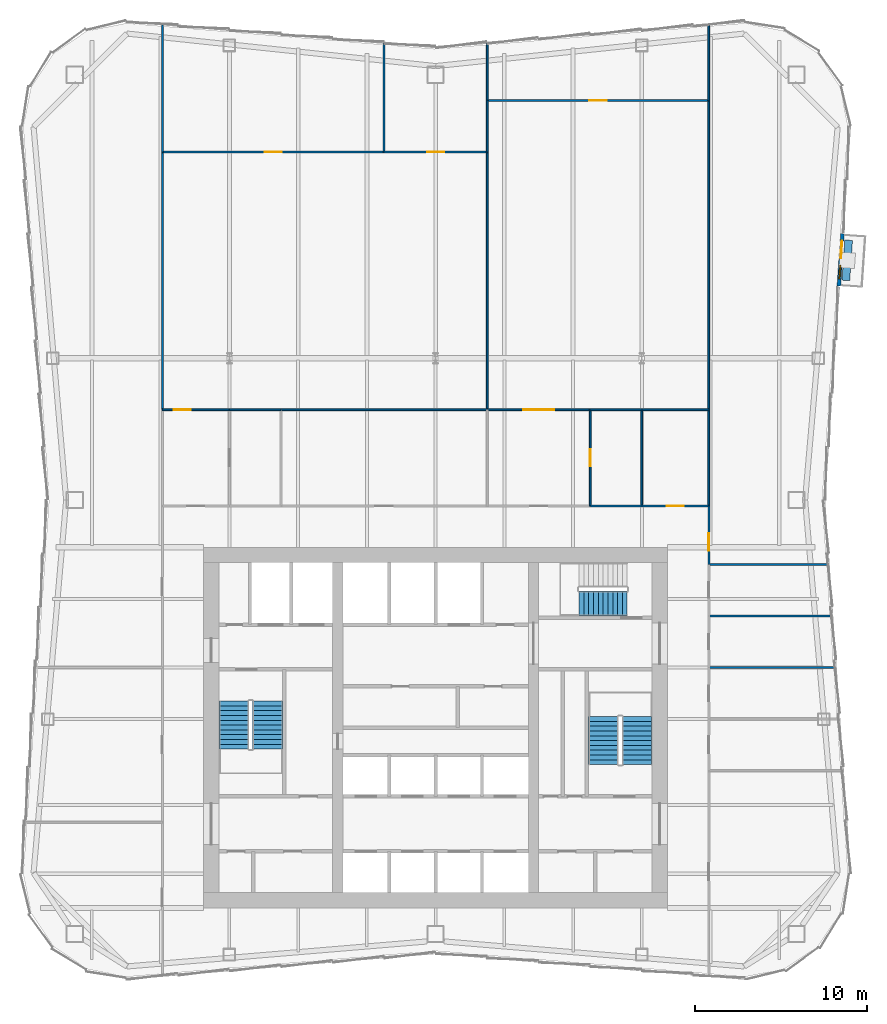
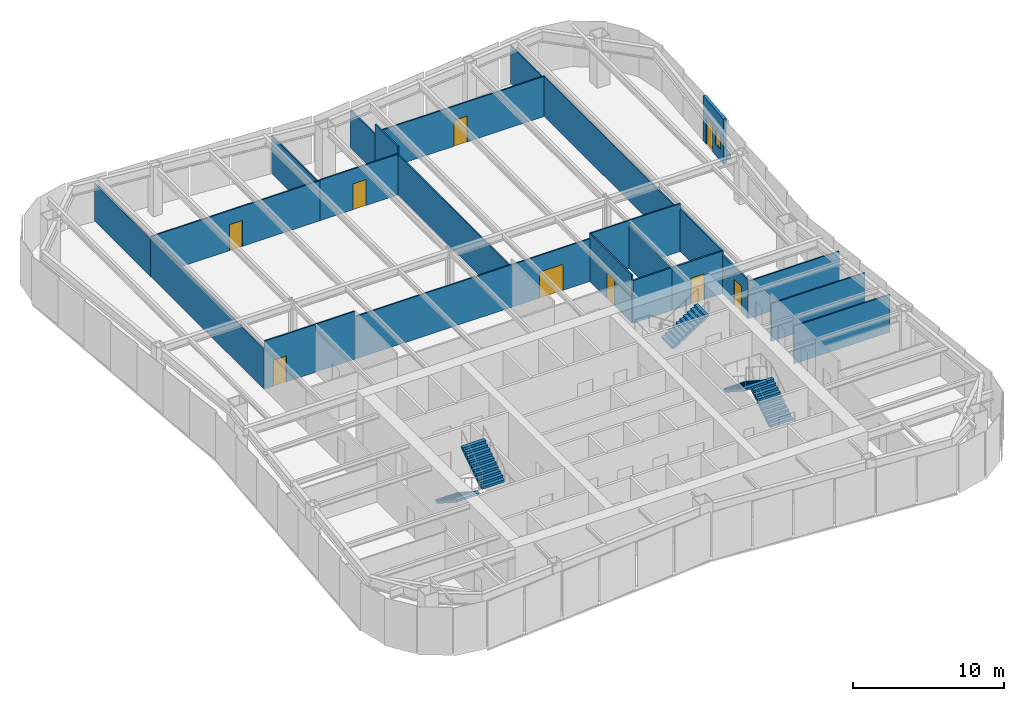
# One storey, part 7 of 10: 28 walls, 9 doors, 5 stair flights, 1 window, 10 openings, 3 elements without a shape of their own.
"""IFC4 building model written with IfcOpenShell, lengths in metres."""

import ifcopenshell
import ifcopenshell.guid

model = None  # the IFC model being written
_history = None  # IfcOwnerHistory: only IFC2X3 demands one
_inside = {}  # id of a spatial element -> (the spatial element, [elements in it])
_under = {}  # id of a project, library or spatial element -> (it, [spatial elements below it])
_declared = {}  # id of a project -> (the project, [libraries it declares])
_typed = {}  # id of a type object -> (the type object, [elements of that type])
_made_of = {}  # id of a material, layer set ... -> (it, [elements and type objects made of it])


def new_model(schema):
    """Start an empty IFC model of exactly this schema.

    Asked for "IFC4X3", IfcOpenShell would pick the latest addendum, in which some entities
    have other attributes; the version numbers below select the first issue.
    IFC2X3 requires an IfcOwnerHistory on every rooted entity: one is made here for all.
    """
    global model, _history
    if schema == "IFC4X3":
        model = ifcopenshell.file(schema_version=(4, 3, 0, 0))
    else:
        model = ifcopenshell.file(schema=schema)
    _inside.clear()
    _under.clear()
    _declared.clear()
    _typed.clear()
    _made_of.clear()
    _history = None
    if model.schema == "IFC2X3":
        org = make("IfcOrganization", Name="unknown")
        user = make(
            "IfcPersonAndOrganization",
            ThePerson=make("IfcPerson", FamilyName="unknown"),
            TheOrganization=org,
        )
        app = make(
            "IfcApplication",
            ApplicationDeveloper=org,
            Version="unknown",
            ApplicationFullName="unknown",
            ApplicationIdentifier="unknown",
        )
        _history = make(
            "IfcOwnerHistory",
            OwningUser=user,
            OwningApplication=app,
            ChangeAction="ADDED",
            CreationDate=0,
        )
    return model


def make(cls, **values):
    """One entity of the class cls with the attributes given. An attribute that is None is left unset."""
    return model.create_entity(
        cls, **{name: value for name, value in values.items() if value is not None}
    )


def rooted(cls, **values):
    """An entity with a GlobalId (a new one), such as an element, a storey or a relation."""
    return make(cls, GlobalId=ifcopenshell.guid.new(), OwnerHistory=_history, **values)


def si_unit(unit_type, name, prefix=None):
    """IfcSIUnit, for example si_unit("LENGTHUNIT", "METRE", prefix="MILLI")."""
    return make("IfcSIUnit", UnitType=unit_type, Prefix=prefix, Name=name)


def assignment(units):
    """IfcUnitAssignment: the units of a project."""
    return None if units is None else make("IfcUnitAssignment", Units=units)


def point(xyz):
    """IfcCartesianPoint."""
    return None if xyz is None else make("IfcCartesianPoint", Coordinates=xyz)


def direction(xyz):
    """IfcDirection."""
    return None if xyz is None else make("IfcDirection", DirectionRatios=xyz)


def frame(location, z_axis=None, x_axis=None):
    """IfcAxis2Placement3D, a coordinate frame: its origin and axes. An axis left out is left unset."""
    return make(
        "IfcAxis2Placement3D",
        Location=point(location),
        Axis=direction(z_axis),
        RefDirection=direction(x_axis),
    )


def frame_2d(location, x_axis=None):
    """IfcAxis2Placement2D, a coordinate frame in the plane: its origin and x axis."""
    return make(
        "IfcAxis2Placement2D", Location=point(location), RefDirection=direction(x_axis)
    )


def origin():
    """The frame at (0, 0, 0) with its axes left unset."""
    return frame((0.0, 0.0, 0.0))


def place(relative_to, where):
    """IfcLocalPlacement: puts the frame where relative to a parent placement (None: the world)."""
    return make(
        "IfcLocalPlacement", PlacementRelTo=relative_to, RelativePlacement=where
    )


def context(
    kind, dimensions, precision=None, world=None, true_north=None, identifier=None
):
    """IfcGeometricRepresentationContext, for example the 3D "Model" context."""
    return make(
        "IfcGeometricRepresentationContext",
        ContextIdentifier=identifier,
        ContextType=kind,
        CoordinateSpaceDimension=dimensions,
        Precision=precision,
        WorldCoordinateSystem=world,
        TrueNorth=true_north,
    )


def subcontext(parent, identifier, kind, view, scale=None):
    """IfcGeometricRepresentationSubContext, for example "Body" below "Model"."""
    return make(
        "IfcGeometricRepresentationSubContext",
        ContextIdentifier=identifier,
        ContextType=kind,
        ParentContext=parent,
        TargetScale=scale,
        TargetView=view,
    )


def project(units=None, contexts=None):
    """IfcProject with its units and contexts."""
    return rooted(
        "IfcProject",
        Name="project",
        RepresentationContexts=contexts,
        UnitsInContext=assignment(units),
    )


def spatial(cls, under=None, at=None, **own):
    """A site, building, storey or space (cls), placed at a placement, below another one or the project."""
    s = rooted(cls, ObjectPlacement=at, **own)
    if under is not None:
        _under.setdefault(under.id(), (under, []))[1].append(s)
    return s


def polyline(points):
    """IfcPolyline through the points."""
    return make("IfcPolyline", Points=[point(p) for p in points])


def profile(cls, at=None, kind="AREA", **sizes):
    """A parametric profile (cls). Its sizes go by their IFC names, for example OverallWidth=200.0."""
    return make(cls, ProfileType=kind, Position=at, **sizes)


def rectangle(**sizes):
    """IfcRectangleProfileDef."""
    return profile("IfcRectangleProfileDef", **sizes)


def outline(outer, holes=None, kind="AREA"):
    """IfcArbitraryClosedProfileDef: a profile drawn as a closed curve; with holes, ...WithVoids."""
    if holes is None:
        return make("IfcArbitraryClosedProfileDef", ProfileType=kind, OuterCurve=outer)
    return make(
        "IfcArbitraryProfileDefWithVoids",
        ProfileType=kind,
        OuterCurve=outer,
        InnerCurves=holes,
    )


def extrude(swept, where, along, depth):
    """IfcExtrudedAreaSolid: the profile swept, set in the frame where, extruded along a direction by depth."""
    return make(
        "IfcExtrudedAreaSolid",
        SweptArea=swept,
        Position=where,
        ExtrudedDirection=direction(along),
        Depth=depth,
    )


def shape(context_of_items, identifier, shape_type, items):
    """IfcShapeRepresentation: the items that make up one representation, for example the "Body"."""
    return make(
        "IfcShapeRepresentation",
        ContextOfItems=context_of_items,
        RepresentationIdentifier=identifier,
        RepresentationType=shape_type,
        Items=items,
    )


def material(Name=None, Category=None):
    """IfcMaterial."""
    return make("IfcMaterial", Name=Name, Category=Category)


def layer(
    of_material, thickness, ventilated=None, Name=None, Category=None, Priority=None
):
    """IfcMaterialLayer: one layer of a wall or slab, of a material (None: an air gap)."""
    return make(
        "IfcMaterialLayer",
        Material=of_material,
        LayerThickness=thickness,
        IsVentilated=ventilated,
        Name=Name,
        Category=Category,
        Priority=Priority,
    )


def layer_set(layers, Name=None):
    """IfcMaterialLayerSet."""
    return make("IfcMaterialLayerSet", MaterialLayers=layers, LayerSetName=Name)


def made_of(thing, what):
    """Note that an element or type object is made of a material, layer set ...; save() writes the relation."""
    if what is not None:
        _made_of.setdefault(what.id(), (what, []))[1].append(thing)
    return thing


def type_object(cls, material=None, **own):
    """A type object (cls), such as IfcWallType, which elements share."""
    return made_of(rooted(cls, **own), material)


def element(
    cls,
    number,
    at=None,
    inside=None,
    cuts=None,
    type_object=None,
    material=None,
    context=None,
    identifier="Body",
    shape_type=None,
    held_by="IfcProductDefinitionShape",
    body=None,
    shapes=None,
    **own,
):
    """One element of the class cls, such as IfcWall. Its Tag is "e" and its number.

    at: its placement. inside: the storey or other place that contains it. cuts: it is an
    opening in that element (IfcRelVoidsElement). A single representation is given by context,
    identifier, shape_type and body (its items); several are given by shapes. held_by: the class
    of the entity that holds the representations. save() writes the other relations.
    """
    e = rooted(cls, Tag="e%d" % number, ObjectPlacement=at, **own)
    if body is not None:
        shapes = [shape(context, identifier, shape_type, body)]
    if shapes is not None:
        e.Representation = make(held_by, Representations=shapes)
    if inside is not None:
        _inside.setdefault(inside.id(), (inside, []))[1].append(e)
    if cuts is not None:
        rooted(
            "IfcRelVoidsElement", RelatingBuildingElement=cuts, RelatedOpeningElement=e
        )
    if type_object is not None:
        _typed.setdefault(type_object.id(), (type_object, []))[1].append(e)
    return made_of(e, material)


def fill(opening, filler):
    """IfcRelFillsElement: the door or window that sits in an opening."""
    return rooted(
        "IfcRelFillsElement",
        RelatingOpeningElement=opening,
        RelatedBuildingElement=filler,
    )


def aggregate(whole, parts):
    """IfcRelAggregates: a whole, such as a stair, and the parts it consists of."""
    return rooted("IfcRelAggregates", RelatingObject=whole, RelatedObjects=parts)


def save(model, path):
    """Write the relations noted so far, then the file.

    IfcRelAggregates (storeys below a building ...), IfcRelContainedInSpatialStructure (elements
    in a storey), IfcRelDefinesByType, IfcRelAssociatesMaterial and IfcRelDeclares: one each for
    every whole, place, type object, material and project.
    """
    for whole, parts in _under.values():
        aggregate(whole, parts)
    for where, things in _inside.values():
        rooted(
            "IfcRelContainedInSpatialStructure",
            RelatedElements=things,
            RelatingStructure=where,
        )
    for kind, things in _typed.values():
        rooted("IfcRelDefinesByType", RelatedObjects=things, RelatingType=kind)
    for what, things in _made_of.values():
        rooted("IfcRelAssociatesMaterial", RelatedObjects=things, RelatingMaterial=what)
    for by, libraries in _declared.values():
        rooted("IfcRelDeclares", RelatingContext=by, RelatedDefinitions=libraries)
    model.write(path)


model = new_model("IFC4")

# Units and contexts
model_context = context("Model", 3, precision=1e-05, world=origin(), true_north=direction((0.0, 1.0)))
body_context = subcontext(model_context, "Body", "Model", "MODEL_VIEW")
ifc_project = project(units=[si_unit("LENGTHUNIT", "METRE"), si_unit("AREAUNIT", "SQUARE_METRE"), si_unit("VOLUMEUNIT", "CUBIC_METRE"), si_unit("PLANEANGLEUNIT", "RADIAN"), si_unit("MASSUNIT", "GRAM", prefix="KILO")], contexts=[model_context])

# Site, building, storey
site_placement = place(None, origin())
site = spatial("IfcSite", under=ifc_project, at=site_placement, CompositionType="ELEMENT")
building_placement = place(site_placement, origin())
building = spatial("IfcBuilding", under=site, at=building_placement, Name="Verdant Reach Tower", CompositionType="ELEMENT")
storey_placement = place(building_placement, frame((0.0, 0.0, 210.0)))
storey = spatial("IfcBuildingStorey", under=building, at=storey_placement, Name="L48", CompositionType="ELEMENT", Elevation=210.0)

# Wall, openings, door, window
ifc_material_1 = material(Name="Insulated bronze aluminium panel wall", Category="aluminium")
ifc_layer_1 = layer(ifc_material_1, 0.219970703125)
ifc_layer_set_1 = layer_set([ifc_layer_1], Name="EN-INFILL WALL")
wall_type_1 = type_object("IfcWallType", Name="EN-INFILL WALL", PredefinedType="SOLIDWALL", material=ifc_layer_set_1)
wall_1_placement = place(storey_placement, frame((23.46826171875, 53.7041015625, 0.0), z_axis=(0.0, 0.0, 1.0), x_axis=(0.068793846076, 0.997630897047, 0.0)))
wall_1 = element("IfcWall", 1, at=wall_1_placement, inside=storey, type_object=wall_type_1, Name="External infill wall, balcony bay 1, L48", PredefinedType="SOLIDWALL", context=body_context, shape_type="SweptSolid", body=[
    extrude(rectangle(XDim=3.048583984375, YDim=0.218017578125, at=frame_2d((1.5244140625, 0.0))), origin(), (0.0, 0.0, 1.0), 3.64990234375),
])
opening_1_placement = place(wall_1_placement, frame((1.63232421875, 0.0, 0.0)))
opening_1 = element("IfcOpeningElement", 2, at=opening_1_placement, cuts=wall_1, Name="Opening BD1", PredefinedType="OPENING", context=body_context, shape_type="SweptSolid", body=[
    extrude(rectangle(XDim=1.0, YDim=2.10009765625, at=frame_2d((0.5, 1.050048828125))), frame((0.0, 0.118896484375, 0.0), z_axis=(0.0, -1.0, 0.0), x_axis=(1.0, 0.0, 0.0)), (0.0, 0.0, 1.0), 0.238037109375),
])
opening_2_placement = place(wall_1_placement, frame((0.416259765625, 0.0, 0.89990234375)))
opening_2 = element("IfcOpeningElement", 3, at=opening_2_placement, cuts=wall_1, Name="Opening BW1", PredefinedType="OPENING", context=body_context, shape_type="SweptSolid", body=[
    extrude(rectangle(XDim=0.800048828125, YDim=1.199951171875, at=frame_2d((0.39990234375, 0.60009765625))), frame((0.0, 0.118896484375, 0.0), z_axis=(0.0, -1.0, 0.0), x_axis=(1.0, 0.0, 0.0)), (0.0, 0.0, 1.0), 0.238037109375),
])
ifc_material_2 = material(Name="Aluminium framed glazed door", Category="aluminium")
door_type_1 = type_object("IfcDoorType", Name="EN-DOOR BALCONY", OperationType="NOTDEFINED", PredefinedType="DOOR", material=ifc_material_2)
door_1_placement = place(opening_1_placement, origin())
door_1 = element("IfcDoor", 4, at=door_1_placement, inside=storey, type_object=door_type_1, Name="Balcony door 1, L48", OperationType="SINGLE_SWING_RIGHT", OverallHeight=2.10009765625, OverallWidth=1.0, PredefinedType="DOOR", context=body_context, shape_type="SweptSolid", body=[
    extrude(rectangle(XDim=1.0, YDim=2.10009765625, at=frame_2d((0.5, 1.050048828125))), frame((0.0, 0.02490234375, 0.0), z_axis=(0.0, -1.0, 0.0), x_axis=(1.0, 0.0, 0.0)), (0.0, 0.0, 1.0), 0.050048828125),
])
fill(opening_1, door_1)
ifc_material_3 = material(Name="Aluminium framed glazing", Category="aluminium")
window_type = type_object("IfcWindowType", Name="EN-WINDOW BALCONY", PartitioningType="SINGLE_PANEL", PredefinedType="WINDOW", material=ifc_material_3)
window_placement = place(opening_2_placement, origin())
window = element("IfcWindow", 5, at=window_placement, inside=storey, type_object=window_type, Name="Balcony window 1, L48", OverallHeight=1.199951171875, OverallWidth=0.800048828125, PartitioningType="SINGLE_PANEL", PredefinedType="WINDOW", context=body_context, shape_type="SweptSolid", body=[
    extrude(rectangle(XDim=0.800048828125, YDim=1.199951171875, at=frame_2d((0.39990234375, 0.60009765625))), frame((0.0, 0.030029296875, 0.0), z_axis=(0.0, -1.0, 0.0), x_axis=(1.0, 0.0, 0.0)), (0.0, 0.0, 1.0), 0.06005859375),
])
fill(opening_2, window)

# Wall
ifc_material_4 = material(Name="Precast concrete C30/37", Category="concrete")
ifc_layer_2 = layer(ifc_material_4, 0.449951171875)
ifc_layer_set_2 = layer_set([ifc_layer_2], Name="EN-PLANTER")
wall_type_2 = type_object("IfcWallType", Name="EN-PLANTER", PredefinedType="USERDEFINED", material=ifc_layer_set_2)
wall_2_placement = place(storey_placement, frame((23.875244140625, 54.02685546875, 0.0), z_axis=(0.0, 0.0, 1.0), x_axis=(0.068823499363, 0.997628851796, 0.0)))
element("IfcWall", 6, at=wall_2_placement, inside=storey, type_object=wall_type_2, Name="Balcony planter 1, L48", ObjectType="PLANTER", PredefinedType="USERDEFINED", context=body_context, shape_type="SweptSolid", body=[
    extrude(rectangle(XDim=2.348388671875, YDim=0.449951171875, at=frame_2d((1.17431640625, 0.0))), origin(), (0.0, 0.0, 1.0), 0.39990234375),
])

# Wall, opening, door
ifc_material_5 = material(Name="Gypsum board on steel studs", Category="steel")
ifc_layer_3 = layer(ifc_material_5, 0.10009765625)
ifc_layer_set_3 = layer_set([ifc_layer_3], Name="FL-W1 Partition 100")
wall_type_3 = type_object("IfcWallType", Name="FL-W1 Partition 100", PredefinedType="PARTITIONING", material=ifc_layer_set_3)
wall_3_placement = place(storey_placement, frame((-15.89990234375, 46.5, 0.0), z_axis=(0.0, 0.0, 1.0), x_axis=(1.0, 0.0, 0.0)))
wall_3 = element("IfcWall", 7, at=wall_3_placement, inside=storey, type_object=wall_type_3, Name="Partition 48.17", PredefinedType="PARTITIONING", context=body_context, shape_type="SweptSolid", body=[
    extrude(rectangle(XDim=3.90380859375, YDim=0.10009765625, at=frame_2d((1.951904296875, 0.0))), origin(), (0.0, 0.0, 1.0), 3.8701171875),
])
opening_3_placement = place(wall_3_placement, frame((0.652099609375, 0.0, 0.0)))
opening_3 = element("IfcOpeningElement", 8, at=opening_3_placement, cuts=wall_3, Name="Opening D3", PredefinedType="OPENING", context=body_context, shape_type="SweptSolid", body=[
    extrude(rectangle(XDim=1.0, YDim=2.10009765625, at=frame_2d((0.5, 1.050048828125))), frame((0.0, 0.06005859375, 0.0), z_axis=(0.0, -1.0, 0.0), x_axis=(1.0, 0.0, 0.0)), (0.0, 0.0, 1.0), 0.1201171875),
])
ifc_material_6 = material(Name="Painted timber door leaf", Category="wood")
door_type_2 = type_object("IfcDoorType", Name="FL-D3 Door 1000x2100", OperationType="NOTDEFINED", PredefinedType="DOOR", material=ifc_material_6)
door_2_placement = place(opening_3_placement, origin())
door_2 = element("IfcDoor", 9, at=door_2_placement, inside=storey, type_object=door_type_2, Name="Door 48-015", OperationType="SINGLE_SWING_LEFT", OverallHeight=2.10009765625, OverallWidth=1.0, PredefinedType="DOOR", context=body_context, shape_type="SweptSolid", body=[
    extrude(rectangle(XDim=1.0, YDim=2.10009765625, at=frame_2d((0.5, 1.050048828125))), frame((0.0, 0.02490234375, 0.0), z_axis=(0.0, -1.0, 0.0), x_axis=(1.0, 0.0, 0.0)), (0.0, 0.0, 1.0), 0.050048828125),
])
fill(opening_3, door_2)

# Walls
wall_4_placement = place(storey_placement, frame((-8.99609375, 46.5, 0.0), z_axis=(0.0, 0.0, 1.0), x_axis=(-1.0, 0.0, 0.0)))
element("IfcWall", 10, at=wall_4_placement, inside=storey, type_object=wall_type_3, Name="Partition 48.20", PredefinedType="PARTITIONING", context=body_context, shape_type="SweptSolid", body=[
    extrude(rectangle(XDim=3.0078125, YDim=0.10009765625, at=frame_2d((1.50390625, 0.0))), origin(), (0.0, 0.0, 1.0), 3.8701171875),
])
wall_5_placement = place(storey_placement, frame((3.0, 46.5, 0.0), z_axis=(0.0, 0.0, 1.0), x_axis=(-1.0, 0.0, 0.0)))
element("IfcWall", 11, at=wall_5_placement, inside=storey, type_object=wall_type_3, Name="Partition 48.21", PredefinedType="PARTITIONING", context=body_context, shape_type="SweptSolid", body=[
    extrude(rectangle(XDim=12.00390625, YDim=0.10009765625, at=frame_2d((6.001953125, 0.0))), origin(), (0.0, 0.0, 1.0), 3.43994140625),
])

# Wall, opening, door
wall_6_placement = place(storey_placement, frame((-15.89990234375, 61.5, 0.0), z_axis=(0.0, 0.0, 1.0), x_axis=(1.0, 0.0, 0.0)))
wall_6 = element("IfcWall", 12, at=wall_6_placement, inside=storey, type_object=wall_type_3, Name="Partition 48.23", PredefinedType="PARTITIONING", context=body_context, shape_type="SweptSolid", body=[
    extrude(rectangle(XDim=12.89990234375, YDim=0.10009765625, at=frame_2d((6.449951171875, 0.0))), origin(), (0.0, 0.0, 1.0), 3.239990234375),
])
opening_4_placement = place(wall_6_placement, frame((5.949951171875, 0.0, 0.0)))
opening_4 = element("IfcOpeningElement", 13, at=opening_4_placement, cuts=wall_6, Name="Opening D3", PredefinedType="OPENING", context=body_context, shape_type="SweptSolid", body=[
    extrude(rectangle(XDim=1.0, YDim=2.10009765625, at=frame_2d((0.5, 1.050048828125))), frame((0.0, 0.06005859375, 0.0), z_axis=(0.0, -1.0, 0.0), x_axis=(1.0, 0.0, 0.0)), (0.0, 0.0, 1.0), 0.1201171875),
])
door_3_placement = place(opening_4_placement, origin())
door_3 = element("IfcDoor", 14, at=door_3_placement, inside=storey, type_object=door_type_2, Name="Door 48-016", OperationType="SINGLE_SWING_RIGHT", OverallHeight=2.10009765625, OverallWidth=1.0, PredefinedType="DOOR", context=body_context, shape_type="SweptSolid", body=[
    extrude(rectangle(XDim=1.0, YDim=2.10009765625, at=frame_2d((0.5, 1.050048828125))), frame((0.0, 0.02490234375, 0.0), z_axis=(0.0, -1.0, 0.0), x_axis=(1.0, 0.0, 0.0)), (0.0, 0.0, 1.0), 0.050048828125),
])
fill(opening_4, door_3)

wall_7_placement = place(storey_placement, frame((-3.0, 61.5, 0.0), z_axis=(0.0, 0.0, 1.0), x_axis=(1.0, 0.0, 0.0)))
wall_7 = element("IfcWall", 15, at=wall_7_placement, inside=storey, type_object=wall_type_3, Name="Partition 48.24", PredefinedType="PARTITIONING", context=body_context, shape_type="SweptSolid", body=[
    extrude(rectangle(XDim=6.0, YDim=0.10009765625, at=frame_2d((3.0, 0.0))), origin(), (0.0, 0.0, 1.0), 3.2900390625),
])
opening_5_placement = place(wall_7_placement, frame((2.5, 0.0, 0.0)))
opening_5 = element("IfcOpeningElement", 16, at=opening_5_placement, cuts=wall_7, Name="Opening D3", PredefinedType="OPENING", context=body_context, shape_type="SweptSolid", body=[
    extrude(rectangle(XDim=1.0, YDim=2.10009765625, at=frame_2d((0.5, 1.050048828125))), frame((0.0, 0.06005859375, 0.0), z_axis=(0.0, -1.0, 0.0), x_axis=(1.0, 0.0, 0.0)), (0.0, 0.0, 1.0), 0.1201171875),
])
door_4_placement = place(opening_5_placement, origin())
door_4 = element("IfcDoor", 17, at=door_4_placement, inside=storey, type_object=door_type_2, Name="Door 48-017", OperationType="SINGLE_SWING_LEFT", OverallHeight=2.10009765625, OverallWidth=1.0, PredefinedType="DOOR", context=body_context, shape_type="SweptSolid", body=[
    extrude(rectangle(XDim=1.0, YDim=2.10009765625, at=frame_2d((0.5, 1.050048828125))), frame((0.0, 0.02490234375, 0.0), z_axis=(0.0, -1.0, 0.0), x_axis=(1.0, 0.0, 0.0)), (0.0, 0.0, 1.0), 0.050048828125),
])
fill(opening_5, door_4)

# Walls
wall_8_placement = place(storey_placement, frame((3.0, 46.5, 0.0), z_axis=(0.0, 0.0, 1.0), x_axis=(0.0, 1.0, 0.0)))
element("IfcWall", 18, at=wall_8_placement, inside=storey, type_object=wall_type_3, Name="Partition 48.25", PredefinedType="PARTITIONING", context=body_context, shape_type="SweptSolid", body=[
    extrude(rectangle(XDim=15.00390625, YDim=0.10009765625, at=frame_2d((7.501953125, 0.0))), origin(), (0.0, 0.0, 1.0), 3.239990234375),
])
wall_9_placement = place(storey_placement, frame((-15.89990234375, 61.50390625, 0.0), z_axis=(0.0, 0.0, 1.0), x_axis=(0.0, -1.0, 0.0)))
element("IfcWall", 19, at=wall_9_placement, inside=storey, type_object=wall_type_3, Name="Partition 48.26", PredefinedType="PARTITIONING", context=body_context, shape_type="SweptSolid", body=[
    extrude(rectangle(XDim=15.0078125, YDim=0.10009765625, at=frame_2d((7.50390625, 0.0))), origin(), (0.0, 0.0, 1.0), 3.239990234375),
])
wall_10_placement = place(storey_placement, frame((-3.0, 61.5, 0.0), z_axis=(0.0, 0.0, 1.0), x_axis=(0.0, 1.0, 0.0)))
element("IfcWall", 20, at=wall_10_placement, inside=storey, type_object=wall_type_3, Name="Partition 48.27", PredefinedType="PARTITIONING", context=body_context, shape_type="SweptSolid", body=[
    extrude(rectangle(XDim=6.330078125, YDim=0.10009765625, at=frame_2d((3.1650390625, 0.0))), origin(), (0.0, 0.0, 1.0), 3.0400390625),
])
wall_11_placement = place(storey_placement, frame((-15.89990234375, 68.905029296875, 0.0), z_axis=(0.0, 0.0, 1.0), x_axis=(0.0, -1.0, 0.0)))
element("IfcWall", 21, at=wall_11_placement, inside=storey, type_object=wall_type_3, Name="Partition 48.28", PredefinedType="PARTITIONING", context=body_context, shape_type="SweptSolid", body=[
    extrude(rectangle(XDim=7.408935546875, YDim=0.10009765625, at=frame_2d((3.70458984375, 0.0))), origin(), (0.0, 0.0, 1.0), 3.0400390625),
])
wall_12_placement = place(storey_placement, frame((3.0, 61.49609375, 0.0), z_axis=(0.0, 0.0, 1.0), x_axis=(0.0, 1.0, 0.0)))
element("IfcWall", 22, at=wall_12_placement, inside=storey, type_object=wall_type_3, Name="Partition 48.29", PredefinedType="PARTITIONING", context=body_context, shape_type="SweptSolid", body=[
    extrude(rectangle(XDim=3.00390625, YDim=0.10009765625, at=frame_2d((1.501953125, 0.0))), origin(), (0.0, 0.0, 1.0), 3.8701171875),
])
wall_13_placement = place(storey_placement, frame((3.0, 64.5, 0.0), z_axis=(0.0, 0.0, 1.0), x_axis=(0.0, 1.0, 0.0)))
element("IfcWall", 23, at=wall_13_placement, inside=storey, type_object=wall_type_3, Name="Partition 48.30", PredefinedType="PARTITIONING", context=body_context, shape_type="SweptSolid", body=[
    extrude(rectangle(XDim=3.330078125, YDim=0.10009765625, at=frame_2d((1.6650390625, 0.0))), origin(), (0.0, 0.0, 1.0), 3.0400390625),
])

# Wall, opening, door
wall_14_placement = place(storey_placement, frame((9.0, 46.5, 0.0), z_axis=(0.0, 0.0, 1.0), x_axis=(0.0, -1.0, 0.0)))
wall_14 = element("IfcWall", 24, at=wall_14_placement, inside=storey, type_object=wall_type_3, Name="Partition 48.31", PredefinedType="PARTITIONING", context=body_context, shape_type="SweptSolid", body=[
    extrude(rectangle(XDim=5.60009765625, YDim=0.10009765625, at=frame_2d((2.800048828125, 0.0))), origin(), (0.0, 0.0, 1.0), 3.8701171875),
])
opening_6_placement = place(wall_14_placement, frame((2.300048828125, 0.0, 0.0)))
opening_6 = element("IfcOpeningElement", 25, at=opening_6_placement, cuts=wall_14, Name="Opening D3", PredefinedType="OPENING", context=body_context, shape_type="SweptSolid", body=[
    extrude(rectangle(XDim=1.0, YDim=2.10009765625, at=frame_2d((0.5, 1.050048828125))), frame((0.0, 0.06005859375, 0.0), z_axis=(0.0, -1.0, 0.0), x_axis=(1.0, 0.0, 0.0)), (0.0, 0.0, 1.0), 0.1201171875),
])
door_5_placement = place(opening_6_placement, origin())
door_5 = element("IfcDoor", 26, at=door_5_placement, inside=storey, type_object=door_type_2, Name="Door 48-018", OperationType="SINGLE_SWING_RIGHT", OverallHeight=2.10009765625, OverallWidth=1.0, PredefinedType="DOOR", context=body_context, shape_type="SweptSolid", body=[
    extrude(rectangle(XDim=1.0, YDim=2.10009765625, at=frame_2d((0.5, 1.050048828125))), frame((0.0, 0.02490234375, 0.0), z_axis=(0.0, -1.0, 0.0), x_axis=(1.0, 0.0, 0.0)), (0.0, 0.0, 1.0), 0.050048828125),
])
fill(opening_6, door_5)

wall_15_placement = place(storey_placement, frame((3.0, 46.5, 0.0), z_axis=(0.0, 0.0, 1.0), x_axis=(1.0, 0.0, 0.0)))
wall_15 = element("IfcWall", 27, at=wall_15_placement, inside=storey, type_object=wall_type_3, Name="Partition 48.32", PredefinedType="PARTITIONING", context=body_context, shape_type="SweptSolid", body=[
    extrude(rectangle(XDim=6.00390625, YDim=0.10009765625, at=frame_2d((3.001953125, 0.0))), origin(), (0.0, 0.0, 1.0), 3.43994140625),
])
opening_7_placement = place(wall_15_placement, frame((2.10205078125, 0.0, 0.0)))
opening_7 = element("IfcOpeningElement", 28, at=opening_7_placement, cuts=wall_15, Name="Opening D5", PredefinedType="OPENING", context=body_context, shape_type="SweptSolid", body=[
    extrude(rectangle(XDim=1.800048828125, YDim=2.10009765625, at=frame_2d((0.89990234375, 1.050048828125))), frame((0.0, 0.06005859375, 0.0), z_axis=(0.0, -1.0, 0.0), x_axis=(1.0, 0.0, 0.0)), (0.0, 0.0, 1.0), 0.1201171875),
])
ifc_material_7 = material(Name="Painted timber door leaves", Category="wood")
door_type_3 = type_object("IfcDoorType", Name="FL-D5 Double door 1800x2100", OperationType="DOUBLE_DOOR_SINGLE_SWING", PredefinedType="DOOR", material=ifc_material_7)
door_6_placement = place(opening_7_placement, origin())
door_6 = element("IfcDoor", 29, at=door_6_placement, inside=storey, type_object=door_type_3, Name="Door 48-019", OperationType="DOUBLE_DOOR_SINGLE_SWING", OverallHeight=2.10009765625, OverallWidth=1.800048828125, PredefinedType="DOOR", context=body_context, shape_type="SweptSolid", body=[
    extrude(rectangle(XDim=1.800048828125, YDim=2.10009765625, at=frame_2d((0.89990234375, 1.050048828125))), frame((0.0, 0.02490234375, 0.0), z_axis=(0.0, -1.0, 0.0), x_axis=(1.0, 0.0, 0.0)), (0.0, 0.0, 1.0), 0.050048828125),
])
fill(opening_7, door_6)

# Walls
wall_16_placement = place(storey_placement, frame((12.0, 40.89990234375, 0.0), z_axis=(0.0, 0.0, 1.0), x_axis=(0.0, 1.0, 0.0)))
element("IfcWall", 30, at=wall_16_placement, inside=storey, type_object=wall_type_3, Name="Partition 48.33", PredefinedType="PARTITIONING", context=body_context, shape_type="SweptSolid", body=[
    extrude(rectangle(XDim=5.60009765625, YDim=0.10009765625, at=frame_2d((2.800048828125, 0.0))), origin(), (0.0, 0.0, 1.0), 3.43994140625),
])
wall_17_placement = place(storey_placement, frame((12.00390625, 46.5, 0.0), z_axis=(0.0, 0.0, 1.0), x_axis=(-1.0, 0.0, 0.0)))
element("IfcWall", 31, at=wall_17_placement, inside=storey, type_object=wall_type_3, Name="Partition 48.34", PredefinedType="PARTITIONING", context=body_context, shape_type="SweptSolid", body=[
    extrude(rectangle(XDim=3.0078125, YDim=0.10009765625, at=frame_2d((1.50390625, 0.0))), origin(), (0.0, 0.0, 1.0), 3.8701171875),
])
wall_18_placement = place(storey_placement, frame((15.89990234375, 46.5, 0.0), z_axis=(0.0, 0.0, 1.0), x_axis=(-1.0, 0.0, 0.0)))
element("IfcWall", 32, at=wall_18_placement, inside=storey, type_object=wall_type_3, Name="Partition 48.35", PredefinedType="PARTITIONING", context=body_context, shape_type="SweptSolid", body=[
    extrude(rectangle(XDim=3.90380859375, YDim=0.10009765625, at=frame_2d((1.951904296875, 0.0))), origin(), (0.0, 0.0, 1.0), 3.8701171875),
])
wall_19_placement = place(storey_placement, frame((15.89990234375, 40.89599609375, 0.0), z_axis=(0.0, 0.0, 1.0), x_axis=(0.0, 1.0, 0.0)))
element("IfcWall", 33, at=wall_19_placement, inside=storey, type_object=wall_type_3, Name="Partition 48.36", PredefinedType="PARTITIONING", context=body_context, shape_type="SweptSolid", body=[
    extrude(rectangle(XDim=5.60791015625, YDim=0.10009765625, at=frame_2d((2.803955078125, 0.0))), origin(), (0.0, 0.0, 1.0), 3.43994140625),
])

# Wall, opening, door
wall_20_placement = place(storey_placement, frame((3.0, 64.5, 0.0), z_axis=(0.0, 0.0, 1.0), x_axis=(1.0, 0.0, 0.0)))
wall_20 = element("IfcWall", 34, at=wall_20_placement, inside=storey, type_object=wall_type_3, Name="Partition 48.37", PredefinedType="PARTITIONING", context=body_context, shape_type="SweptSolid", body=[
    extrude(rectangle(XDim=12.89990234375, YDim=0.10009765625, at=frame_2d((6.449951171875, 0.0))), origin(), (0.0, 0.0, 1.0), 3.239990234375),
])
opening_8_placement = place(wall_20_placement, frame((5.949951171875, 0.0, 0.0)))
opening_8 = element("IfcOpeningElement", 35, at=opening_8_placement, cuts=wall_20, Name="Opening D3", PredefinedType="OPENING", context=body_context, shape_type="SweptSolid", body=[
    extrude(rectangle(XDim=1.0, YDim=2.10009765625, at=frame_2d((0.5, 1.050048828125))), frame((0.0, 0.06005859375, 0.0), z_axis=(0.0, -1.0, 0.0), x_axis=(1.0, 0.0, 0.0)), (0.0, 0.0, 1.0), 0.1201171875),
])
door_7_placement = place(opening_8_placement, origin())
door_7 = element("IfcDoor", 36, at=door_7_placement, inside=storey, type_object=door_type_2, Name="Door 48-020", OperationType="SINGLE_SWING_RIGHT", OverallHeight=2.10009765625, OverallWidth=1.0, PredefinedType="DOOR", context=body_context, shape_type="SweptSolid", body=[
    extrude(rectangle(XDim=1.0, YDim=2.10009765625, at=frame_2d((0.5, 1.050048828125))), frame((0.0, 0.02490234375, 0.0), z_axis=(0.0, -1.0, 0.0), x_axis=(1.0, 0.0, 0.0)), (0.0, 0.0, 1.0), 0.050048828125),
])
fill(opening_8, door_7)

# Walls
wall_21_placement = place(storey_placement, frame((15.89990234375, 46.49609375, 0.0), z_axis=(0.0, 0.0, 1.0), x_axis=(0.0, 1.0, 0.0)))
element("IfcWall", 37, at=wall_21_placement, inside=storey, type_object=wall_type_3, Name="Partition 48.38", PredefinedType="PARTITIONING", context=body_context, shape_type="SweptSolid", body=[
    extrude(rectangle(XDim=18.0078125, YDim=0.10009765625, at=frame_2d((9.00390625, 0.0))), origin(), (0.0, 0.0, 1.0), 3.239990234375),
])
wall_22_placement = place(storey_placement, frame((15.89990234375, 64.49609375, 0.0), z_axis=(0.0, 0.0, 1.0), x_axis=(0.0, 1.0, 0.0)))
element("IfcWall", 38, at=wall_22_placement, inside=storey, type_object=wall_type_3, Name="Partition 48.39", PredefinedType="PARTITIONING", context=body_context, shape_type="SweptSolid", body=[
    extrude(rectangle(XDim=4.408935546875, YDim=0.10009765625, at=frame_2d((2.20458984375, 0.0))), origin(), (0.0, 0.0, 1.0), 3.0400390625),
])
wall_23_placement = place(storey_placement, frame((23.25244140625, 31.5, 0.0), z_axis=(0.0, 0.0, 1.0), x_axis=(-1.0, 0.0, 0.0)))
element("IfcWall", 39, at=wall_23_placement, inside=storey, type_object=wall_type_3, Name="Partition 48.44", PredefinedType="PARTITIONING", context=body_context, shape_type="SweptSolid", body=[
    extrude(rectangle(XDim=7.3525390625, YDim=0.10009765625, at=frame_2d((3.67626953125, 0.0))), origin(), (0.0, 0.0, 1.0), 3.0400390625),
])
wall_24_placement = place(storey_placement, frame((23.04541015625, 34.5, 0.0), z_axis=(0.0, 0.0, 1.0), x_axis=(-1.0, 0.0, 0.0)))
element("IfcWall", 40, at=wall_24_placement, inside=storey, type_object=wall_type_3, Name="Partition 48.45", PredefinedType="PARTITIONING", context=body_context, shape_type="SweptSolid", body=[
    extrude(rectangle(XDim=7.1455078125, YDim=0.10009765625, at=frame_2d((3.57275390625, 0.0))), origin(), (0.0, 0.0, 1.0), 3.0400390625),
])
wall_25_placement = place(storey_placement, frame((22.838623046875, 37.5, 0.0), z_axis=(0.0, 0.0, 1.0), x_axis=(-1.0, 0.0, 0.0)))
element("IfcWall", 41, at=wall_25_placement, inside=storey, type_object=wall_type_3, Name="Partition 48.46", PredefinedType="PARTITIONING", context=body_context, shape_type="SweptSolid", body=[
    extrude(rectangle(XDim=6.938720703125, YDim=0.10009765625, at=frame_2d((3.46923828125, 0.0))), origin(), (0.0, 0.0, 1.0), 3.0400390625),
])
ifc_material_8 = material(Name="Gypsum board on steel studs, fire rated", Category="steel")
ifc_layer_4 = layer(ifc_material_8, 0.125)
ifc_layer_set_4 = layer_set([ifc_layer_4], Name="FL-W2 Corridor wall 125")
wall_type_4 = type_object("IfcWallType", Name="FL-W2 Corridor wall 125", PredefinedType="PARTITIONING", material=ifc_layer_set_4)
wall_26_placement = place(storey_placement, frame((12.0, 40.89990234375, 0.0), z_axis=(0.0, 0.0, 1.0), x_axis=(-1.0, 0.0, 0.0)))
element("IfcWall", 42, at=wall_26_placement, inside=storey, type_object=wall_type_4, Name="Partition 48.05", PredefinedType="PARTITIONING", context=body_context, shape_type="SweptSolid", body=[
    extrude(rectangle(XDim=3.0, YDim=0.125, at=frame_2d((1.5, 0.0))), origin(), (0.0, 0.0, 1.0), 3.43994140625),
])

# Wall, opening, door
wall_27_placement = place(storey_placement, frame((12.0, 40.89990234375, 0.0), z_axis=(0.0, 0.0, 1.0), x_axis=(1.0, 0.0, 0.0)))
wall_27 = element("IfcWall", 43, at=wall_27_placement, inside=storey, type_object=wall_type_4, Name="Partition 48.06", PredefinedType="PARTITIONING", context=body_context, shape_type="SweptSolid", body=[
    extrude(rectangle(XDim=3.89990234375, YDim=0.125, at=frame_2d((1.949951171875, 0.0))), origin(), (0.0, 0.0, 1.0), 3.43994140625),
])
opening_9_placement = place(wall_27_placement, frame((1.449951171875, 0.0, 0.0)))
opening_9 = element("IfcOpeningElement", 44, at=opening_9_placement, cuts=wall_27, Name="Opening D2", PredefinedType="OPENING", context=body_context, shape_type="SweptSolid", body=[
    extrude(rectangle(XDim=1.0, YDim=2.10009765625, at=frame_2d((0.5, 1.050048828125))), frame((0.0, 0.072509765625, 0.0), z_axis=(0.0, -1.0, 0.0), x_axis=(1.0, 0.0, 0.0)), (0.0, 0.0, 1.0), 0.14501953125),
])
ifc_material_9 = material(Name="Timber door leaf, fire rated", Category="wood")
door_type_4 = type_object("IfcDoorType", Name="FL-D2 Entrance door 1000x2100 FD30", OperationType="NOTDEFINED", PredefinedType="DOOR", material=ifc_material_9)
door_8_placement = place(opening_9_placement, origin())
door_8 = element("IfcDoor", 45, at=door_8_placement, inside=storey, type_object=door_type_4, Name="Door 48-004", OperationType="SINGLE_SWING_RIGHT", OverallHeight=2.10009765625, OverallWidth=1.0, PredefinedType="DOOR", context=body_context, shape_type="SweptSolid", body=[
    extrude(rectangle(XDim=1.0, YDim=2.10009765625, at=frame_2d((0.5, 1.050048828125))), frame((0.0, 0.02490234375, 0.0), z_axis=(0.0, -1.0, 0.0), x_axis=(1.0, 0.0, 0.0)), (0.0, 0.0, 1.0), 0.050048828125),
])
fill(opening_9, door_8)

wall_28_placement = place(storey_placement, frame((15.89990234375, 40.904052734375, 0.0), z_axis=(0.0, 0.0, 1.0), x_axis=(0.0, -1.0, 0.0)))
wall_28 = element("IfcWall", 46, at=wall_28_placement, inside=storey, type_object=wall_type_4, Name="Partition 48.15", PredefinedType="PARTITIONING", context=body_context, shape_type="SweptSolid", body=[
    extrude(rectangle(XDim=3.404052734375, YDim=0.125, at=frame_2d((1.7021484375, 0.0))), origin(), (0.0, 0.0, 1.0), 3.139892578125),
])
opening_10_placement = place(wall_28_placement, frame((1.60205078125, 0.0, 0.0)))
opening_10 = element("IfcOpeningElement", 47, at=opening_10_placement, cuts=wall_28, Name="Opening D2", PredefinedType="OPENING", context=body_context, shape_type="SweptSolid", body=[
    extrude(rectangle(XDim=1.0, YDim=2.10009765625, at=frame_2d((0.5, 1.050048828125))), frame((0.0, 0.072509765625, 0.0), z_axis=(0.0, -1.0, 0.0), x_axis=(1.0, 0.0, 0.0)), (0.0, 0.0, 1.0), 0.14501953125),
])
door_9_placement = place(opening_10_placement, origin())
door_9 = element("IfcDoor", 48, at=door_9_placement, inside=storey, type_object=door_type_4, Name="Door 48-013", OperationType="SINGLE_SWING_RIGHT", OverallHeight=2.10009765625, OverallWidth=1.0, PredefinedType="DOOR", context=body_context, shape_type="SweptSolid", body=[
    extrude(rectangle(XDim=1.0, YDim=2.10009765625, at=frame_2d((0.5, 1.050048828125))), frame((0.0, 0.02490234375, 0.0), z_axis=(0.0, -1.0, 0.0), x_axis=(1.0, 0.0, 0.0)), (0.0, 0.0, 1.0), 0.050048828125),
])
fill(opening_10, door_9)

# Stair, stair flights
ifc_material_10 = material(Name="Concrete C40/50", Category="concrete")
stair_type = type_object("IfcStairType", Name="CO-STAIR", PredefinedType="HALF_TURN_STAIR", material=ifc_material_10)
stair_1_placement = place(storey_placement, origin())
stair_1 = element("IfcStair", 49, at=stair_1_placement, inside=storey, type_object=stair_type, Name="L48 Exit stair 1", PredefinedType="HALF_TURN_STAIR")
stair_flight_type = type_object("IfcStairFlightType", Name="CO-STAIR-FLIGHT", PredefinedType="STRAIGHT", material=ifc_material_10)
stair_flight_1_placement = place(storey_placement, frame((-11.72509765625, 29.550048828125, 0.0), z_axis=(0.0, 0.0, 1.0), x_axis=(0.0, -1.0, 0.0)))
stair_flight_1 = element("IfcStairFlight", 50, at=stair_flight_1_placement, type_object=stair_flight_type, Name="ST-1 flight 1", NumberOfRisers=11, NumberOfTreads=10, PredefinedType="STRAIGHT", RiserHeight=0.181818182, TreadLength=0.28, context=body_context, shape_type="SweptSolid", body=[
    extrude(outline(polyline([(0.0, 0.0), (0.0, 0.181884765625), (0.280029296875, 0.181884765625), (0.280029296875, 0.363525390625), (0.56005859375, 0.363525390625), (0.56005859375, 0.54541015625), (0.840087890625, 0.54541015625), (0.840087890625, 0.727294921875), (1.1201171875, 0.727294921875), (1.1201171875, 0.9091796875), (1.39990234375, 0.9091796875), (1.39990234375, 1.0908203125), (1.679931640625, 1.0908203125), (1.679931640625, 1.272705078125), (1.9599609375, 1.272705078125), (1.9599609375, 1.45458984375), (2.239990234375, 1.45458984375), (2.239990234375, 1.636474609375), (2.52001953125, 1.636474609375), (2.52001953125, 1.818115234375), (2.800048828125, 1.818115234375), (2.800048828125, 2.0), (2.800048828125, 1.639404296875), (0.275146484375, 0.0), (0.0, 0.0)])), frame((0.0, 0.875, 0.0), z_axis=(0.0, -1.0, 0.0), x_axis=(1.0, 0.0, 0.0)), (0.0, 0.0, 1.0), 1.75),
])
stair_flight_2_placement = place(storey_placement, frame((-9.77490234375, 26.75, 2.0), z_axis=(0.0, 0.0, 1.0), x_axis=(0.0, 1.0, 0.0)))
stair_flight_2 = element("IfcStairFlight", 51, at=stair_flight_2_placement, type_object=stair_flight_type, Name="ST-1 flight 2", NumberOfRisers=11, NumberOfTreads=10, PredefinedType="STRAIGHT", RiserHeight=0.181818182, TreadLength=0.28, context=body_context, shape_type="SweptSolid", body=[
    extrude(outline(polyline([(0.0, 0.0), (0.0, 0.181884765625), (0.280029296875, 0.181884765625), (0.280029296875, 0.363525390625), (0.56005859375, 0.363525390625), (0.56005859375, 0.54541015625), (0.840087890625, 0.54541015625), (0.840087890625, 0.727294921875), (1.1201171875, 0.727294921875), (1.1201171875, 0.9091796875), (1.39990234375, 0.9091796875), (1.39990234375, 1.0908203125), (1.679931640625, 1.0908203125), (1.679931640625, 1.272705078125), (1.9599609375, 1.272705078125), (1.9599609375, 1.45458984375), (2.239990234375, 1.45458984375), (2.239990234375, 1.636474609375), (2.52001953125, 1.636474609375), (2.52001953125, 1.818115234375), (2.800048828125, 1.818115234375), (2.800048828125, 2.0), (2.800048828125, 1.639404296875), (0.275146484375, 0.0), (0.0, 0.0)])), frame((0.0, 0.875, 0.0), z_axis=(0.0, -1.0, 0.0), x_axis=(1.0, 0.0, 0.0)), (0.0, 0.0, 1.0), 1.75),
])
aggregate(stair_1, [stair_flight_1, stair_flight_2])

stair_2_placement = place(storey_placement, origin())
stair_2 = element("IfcStair", 52, at=stair_2_placement, inside=storey, type_object=stair_type, Name="L48 Exit stair 2", PredefinedType="HALF_TURN_STAIR")
stair_flight_3_placement = place(storey_placement, frame((11.72509765625, 25.85009765625, 0.0), z_axis=(0.0, 0.0, 1.0), x_axis=(0.0, 1.0, 0.0)))
stair_flight_3 = element("IfcStairFlight", 53, at=stair_flight_3_placement, type_object=stair_flight_type, Name="ST-2 flight 1", NumberOfRisers=11, NumberOfTreads=10, PredefinedType="STRAIGHT", RiserHeight=0.181818182, TreadLength=0.28, context=body_context, shape_type="SweptSolid", body=[
    extrude(outline(polyline([(0.0, 0.0), (0.0, 0.181884765625), (0.280029296875, 0.181884765625), (0.280029296875, 0.363525390625), (0.56005859375, 0.363525390625), (0.56005859375, 0.54541015625), (0.840087890625, 0.54541015625), (0.840087890625, 0.727294921875), (1.1201171875, 0.727294921875), (1.1201171875, 0.9091796875), (1.39990234375, 0.9091796875), (1.39990234375, 1.0908203125), (1.679931640625, 1.0908203125), (1.679931640625, 1.272705078125), (1.9599609375, 1.272705078125), (1.9599609375, 1.45458984375), (2.239990234375, 1.45458984375), (2.239990234375, 1.636474609375), (2.52001953125, 1.636474609375), (2.52001953125, 1.818115234375), (2.800048828125, 1.818115234375), (2.800048828125, 2.0), (2.800048828125, 1.639404296875), (0.275146484375, 0.0), (0.0, 0.0)])), frame((0.0, 0.875, 0.0), z_axis=(0.0, -1.0, 0.0), x_axis=(1.0, 0.0, 0.0)), (0.0, 0.0, 1.0), 1.75),
])
stair_flight_4_placement = place(storey_placement, frame((9.77490234375, 28.64990234375, 2.0), z_axis=(0.0, 0.0, 1.0), x_axis=(0.0, -1.0, 0.0)))
stair_flight_4 = element("IfcStairFlight", 54, at=stair_flight_4_placement, type_object=stair_flight_type, Name="ST-2 flight 2", NumberOfRisers=11, NumberOfTreads=10, PredefinedType="STRAIGHT", RiserHeight=0.181818182, TreadLength=0.28, context=body_context, shape_type="SweptSolid", body=[
    extrude(outline(polyline([(0.0, 0.0), (0.0, 0.181884765625), (0.280029296875, 0.181884765625), (0.280029296875, 0.363525390625), (0.56005859375, 0.363525390625), (0.56005859375, 0.54541015625), (0.840087890625, 0.54541015625), (0.840087890625, 0.727294921875), (1.1201171875, 0.727294921875), (1.1201171875, 0.9091796875), (1.39990234375, 0.9091796875), (1.39990234375, 1.0908203125), (1.679931640625, 1.0908203125), (1.679931640625, 1.272705078125), (1.9599609375, 1.272705078125), (1.9599609375, 1.45458984375), (2.239990234375, 1.45458984375), (2.239990234375, 1.636474609375), (2.52001953125, 1.636474609375), (2.52001953125, 1.818115234375), (2.800048828125, 1.818115234375), (2.800048828125, 2.0), (2.800048828125, 1.639404296875), (0.275146484375, 0.0), (0.0, 0.0)])), frame((0.0, 0.875, 0.0), z_axis=(0.0, -1.0, 0.0), x_axis=(1.0, 0.0, 0.0)), (0.0, 0.0, 1.0), 1.75),
])
aggregate(stair_2, [stair_flight_3, stair_flight_4])

# Stair, stair flight
stair_3_placement = place(storey_placement, origin())
stair_3 = element("IfcStair", 55, at=stair_3_placement, inside=storey, type_object=stair_type, Name="L48 Exit stair 3", PredefinedType="HALF_TURN_STAIR")
stair_flight_5_placement = place(storey_placement, frame((8.35009765625, 35.22509765625, 2.0), z_axis=(0.0, 0.0, 1.0), x_axis=(1.0, 0.0, 0.0)))
stair_flight_5 = element("IfcStairFlight", 56, at=stair_flight_5_placement, type_object=stair_flight_type, Name="ST-3 flight 2", NumberOfRisers=11, NumberOfTreads=10, PredefinedType="STRAIGHT", RiserHeight=0.181818182, TreadLength=0.28, context=body_context, shape_type="SweptSolid", body=[
    extrude(outline(polyline([(0.0, 0.0), (0.0, 0.181884765625), (0.280029296875, 0.181884765625), (0.280029296875, 0.363525390625), (0.56005859375, 0.363525390625), (0.56005859375, 0.54541015625), (0.840087890625, 0.54541015625), (0.840087890625, 0.727294921875), (1.1201171875, 0.727294921875), (1.1201171875, 0.9091796875), (1.39990234375, 0.9091796875), (1.39990234375, 1.0908203125), (1.679931640625, 1.0908203125), (1.679931640625, 1.272705078125), (1.9599609375, 1.272705078125), (1.9599609375, 1.45458984375), (2.239990234375, 1.45458984375), (2.239990234375, 1.636474609375), (2.52001953125, 1.636474609375), (2.52001953125, 1.818115234375), (2.800048828125, 1.818115234375), (2.800048828125, 2.0), (2.800048828125, 1.639404296875), (0.275146484375, 0.0), (0.0, 0.0)])), frame((0.0, 0.72509765625, 0.0), z_axis=(0.0, -1.0, 0.0), x_axis=(1.0, 0.0, 0.0)), (0.0, 0.0, 1.0), 1.449951171875),
])
aggregate(stair_3, [stair_flight_5])

save(model, "model.ifc")
